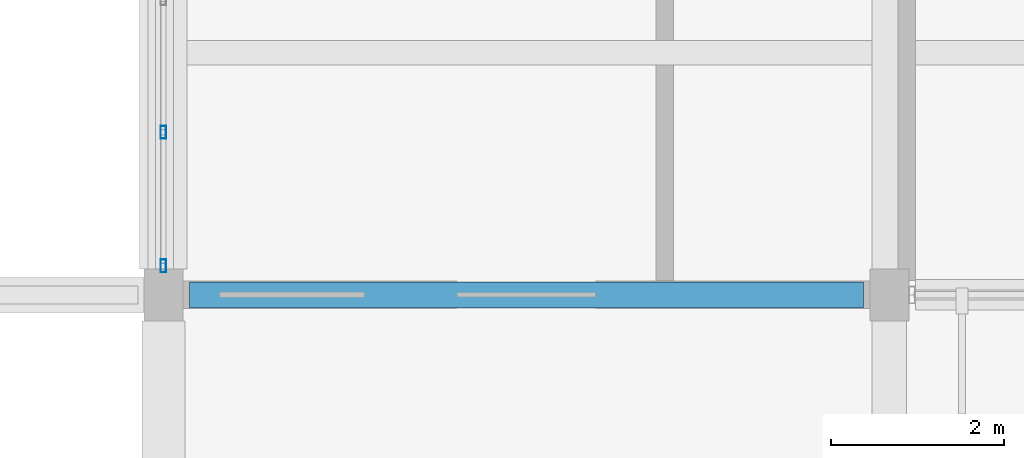
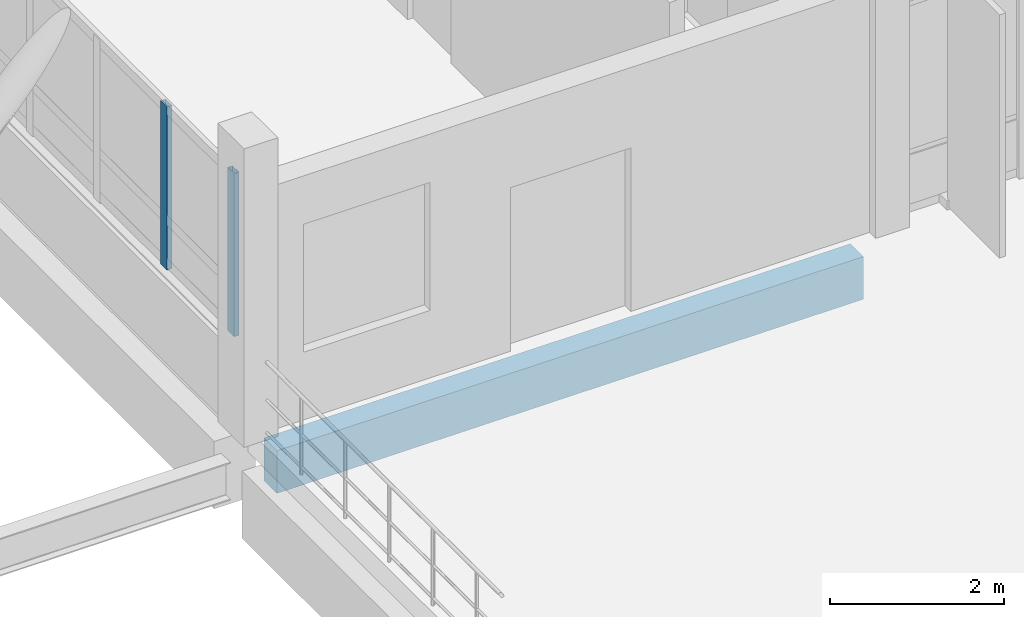
# One storey, part 11 of 107: 2 members, 1 beam, 1 element without a shape of its own.
"""IFC4 building model written with IfcOpenShell, lengths in metres."""

from ifc_helpers import new_model, si_unit, direction, frame, origin, origin_2d, place, context, subcontext, project, spatial, rectangle, hollow_rectangle, extrude, material, layer, layer_set, material_profile, profile_set, type_object, element, aggregate, save


model = new_model("IFC4")

# Units and contexts
model_context = context("Model", 3, precision=1e-05, world=origin(), true_north=direction((0.0, 1.0)))
body_context = subcontext(model_context, "Body", "Model", "MODEL_VIEW")
ifc_project = project(units=[si_unit("LENGTHUNIT", "METRE"), si_unit("AREAUNIT", "SQUARE_METRE"), si_unit("VOLUMEUNIT", "CUBIC_METRE"), si_unit("PLANEANGLEUNIT", "RADIAN"), si_unit("MASSUNIT", "GRAM", prefix="KILO")], contexts=[model_context])

# Site, building, storey
site_placement = place(None, origin())
site = spatial("IfcSite", under=ifc_project, at=site_placement, CompositionType="ELEMENT")
building_placement = place(site_placement, origin())
building = spatial("IfcBuilding", under=site, at=building_placement, Name="Vireocrest Preparatory School", CompositionType="ELEMENT")
storey_placement = place(building_placement, frame((0.0, 0.0, 13.199951171875)))
storey = spatial("IfcBuildingStorey", under=building, at=storey_placement, Name="L03", CompositionType="ELEMENT", Elevation=13.199951171875)

# Curtain wall, members
ifc_material_1 = material(Name="Thermally broken aluminium EN AW-6063-T6", Category="aluminium")
ifc_layer = layer(ifc_material_1, 0.179931640625)
ifc_layer_set = layer_set([ifc_layer], Name="Thermally broken aluminium EN AW-6063-T6")
curtain_wall_type = type_object("IfcCurtainWallType", Name="Court Banded Curtain Wall 8400x3000", PredefinedType="USERDEFINED", material=ifc_layer_set)
curtain_wall_placement = place(storey_placement, origin())
curtain_wall = element("IfcCurtainWall", 1, at=curtain_wall_placement, inside=storey, type_object=curtain_wall_type, Name="Curtain Wall CW02 CW_L03_CW02_0924_0357_144", ObjectType="CURTAIN WALL", PredefinedType="USERDEFINED")
ifc_material_profile_1 = material_profile(ifc_material_1, hollow_rectangle(XDim=0.06494140625, YDim=0.14990234375, WallThickness=0.00390625, at=origin_2d()), Name="ALU 65x150x4")
ifc_profile_set_1 = profile_set([ifc_material_profile_1], Name="Thermally broken aluminium EN AW-6063-T6")
member_type = type_object("IfcMemberType", Name="CW Mullion 65x150x4", PredefinedType="MULLION", material=ifc_profile_set_1)
member_1_placement = place(storey_placement, frame((92.39990234375, 35.735107421875, 1.150146484375), z_axis=(0.0, 0.0, 1.0), x_axis=(1.0, 0.0, 0.0)))
member_1 = element("IfcMember", 2, at=member_1_placement, type_object=member_type, Name="CW Mullion ML1 CW_L03_CW02_0924_0357_144-1", PredefinedType="MULLION", context=body_context, shape_type="SweptSolid", body=[
    extrude(hollow_rectangle(XDim=0.06494140625, YDim=0.14990234375, WallThickness=0.00390625, at=origin_2d()), origin(), (0.0, 0.0, 1.0), 2.294921875),
])
member_2_placement = place(storey_placement, frame((92.39990234375, 37.281005859375, 1.150146484375), z_axis=(0.0, 0.0, 1.0), x_axis=(1.0, 0.0, 0.0)))
member_2 = element("IfcMember", 3, at=member_2_placement, type_object=member_type, Name="CW Mullion ML1 CW_L03_CW02_0924_0357_144-2", PredefinedType="MULLION", context=body_context, shape_type="SweptSolid", body=[
    extrude(hollow_rectangle(XDim=0.06494140625, YDim=0.14990234375, WallThickness=0.00390625, at=origin_2d()), origin(), (0.0, 0.0, 1.0), 2.294921875),
])
aggregate(curtain_wall, [member_1, member_2])

# Beam
ifc_material_2 = material(Name="Concrete 40 MPa", Category="concrete")
ifc_material_profile_2 = material_profile(ifc_material_2, rectangle(XDim=0.300048828125, YDim=0.60009765625, at=origin_2d()), Name="RC 300x600")
ifc_profile_set_2 = profile_set([ifc_material_profile_2], Name="Concrete 40 MPa")
beam_type = type_object("IfcBeamType", Name="RC Classroom Beam 300x600", PredefinedType="BEAM", material=ifc_profile_set_2)
beam_placement = place(storey_placement, frame((92.699951171875, 35.39990234375, -0.619873046875), z_axis=(1.0, 0.0, 0.0), x_axis=(0.0, 1.0, 0.0)))
element("IfcBeam", 4, at=beam_placement, inside=storey, type_object=beam_type, Name="Primary Girder B03 L03-1045", PredefinedType="BEAM", context=body_context, shape_type="SweptSolid", body=[
    extrude(rectangle(XDim=0.300048828125, YDim=0.60009765625, at=origin_2d()), origin(), (0.0, 0.0, 1.0), 7.800048828125),
])

save(model, "model.ifc")
